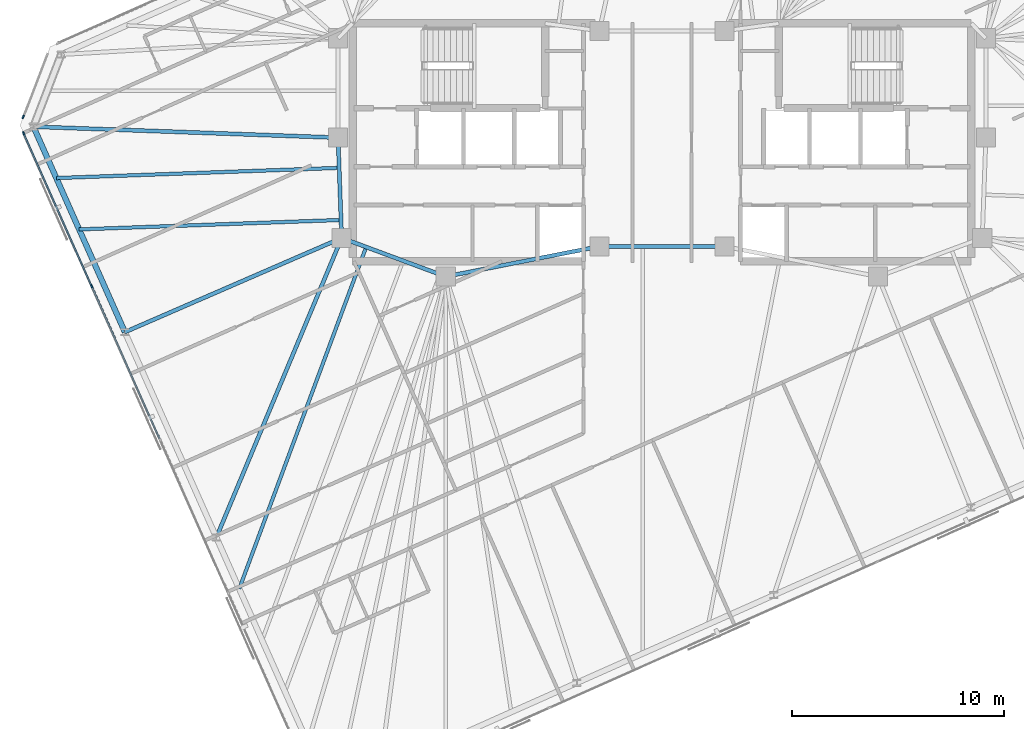
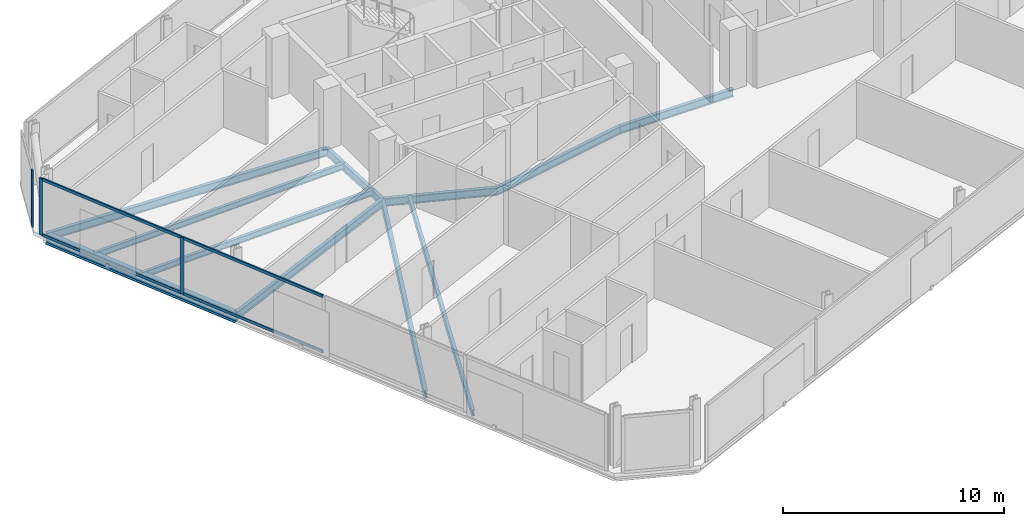
# One storey, part 6 of 19: 11 beams, 7 members, 2 elements without a shape of their own.
"""IFC4 building model written with IfcOpenShell, lengths in metres."""

import ifcopenshell
import ifcopenshell.guid

model = None  # the IFC model being written
_history = None  # IfcOwnerHistory: only IFC2X3 demands one
_inside = {}  # id of a spatial element -> (the spatial element, [elements in it])
_under = {}  # id of a project, library or spatial element -> (it, [spatial elements below it])
_declared = {}  # id of a project -> (the project, [libraries it declares])
_typed = {}  # id of a type object -> (the type object, [elements of that type])
_made_of = {}  # id of a material, layer set ... -> (it, [elements and type objects made of it])


def new_model(schema):
    """Start an empty IFC model of exactly this schema.

    Asked for "IFC4X3", IfcOpenShell would pick the latest addendum, in which some entities
    have other attributes; the version numbers below select the first issue.
    IFC2X3 requires an IfcOwnerHistory on every rooted entity: one is made here for all.
    """
    global model, _history
    if schema == "IFC4X3":
        model = ifcopenshell.file(schema_version=(4, 3, 0, 0))
    else:
        model = ifcopenshell.file(schema=schema)
    _inside.clear()
    _under.clear()
    _declared.clear()
    _typed.clear()
    _made_of.clear()
    _history = None
    if model.schema == "IFC2X3":
        org = make("IfcOrganization", Name="unknown")
        user = make(
            "IfcPersonAndOrganization",
            ThePerson=make("IfcPerson", FamilyName="unknown"),
            TheOrganization=org,
        )
        app = make(
            "IfcApplication",
            ApplicationDeveloper=org,
            Version="unknown",
            ApplicationFullName="unknown",
            ApplicationIdentifier="unknown",
        )
        _history = make(
            "IfcOwnerHistory",
            OwningUser=user,
            OwningApplication=app,
            ChangeAction="ADDED",
            CreationDate=0,
        )
    return model


def make(cls, **values):
    """One entity of the class cls with the attributes given. An attribute that is None is left unset."""
    return model.create_entity(
        cls, **{name: value for name, value in values.items() if value is not None}
    )


def rooted(cls, **values):
    """An entity with a GlobalId (a new one), such as an element, a storey or a relation."""
    return make(cls, GlobalId=ifcopenshell.guid.new(), OwnerHistory=_history, **values)


def si_unit(unit_type, name, prefix=None):
    """IfcSIUnit, for example si_unit("LENGTHUNIT", "METRE", prefix="MILLI")."""
    return make("IfcSIUnit", UnitType=unit_type, Prefix=prefix, Name=name)


def assignment(units):
    """IfcUnitAssignment: the units of a project."""
    return None if units is None else make("IfcUnitAssignment", Units=units)


def point(xyz):
    """IfcCartesianPoint."""
    return None if xyz is None else make("IfcCartesianPoint", Coordinates=xyz)


def direction(xyz):
    """IfcDirection."""
    return None if xyz is None else make("IfcDirection", DirectionRatios=xyz)


def frame(location, z_axis=None, x_axis=None):
    """IfcAxis2Placement3D, a coordinate frame: its origin and axes. An axis left out is left unset."""
    return make(
        "IfcAxis2Placement3D",
        Location=point(location),
        Axis=direction(z_axis),
        RefDirection=direction(x_axis),
    )


def frame_2d(location, x_axis=None):
    """IfcAxis2Placement2D, a coordinate frame in the plane: its origin and x axis."""
    return make(
        "IfcAxis2Placement2D", Location=point(location), RefDirection=direction(x_axis)
    )


def origin():
    """The frame at (0, 0, 0) with its axes left unset."""
    return frame((0.0, 0.0, 0.0))


def origin_2d():
    """The frame at (0, 0) in the plane with its x axis left unset."""
    return frame_2d((0.0, 0.0))


def place(relative_to, where):
    """IfcLocalPlacement: puts the frame where relative to a parent placement (None: the world)."""
    return make(
        "IfcLocalPlacement", PlacementRelTo=relative_to, RelativePlacement=where
    )


def context(
    kind, dimensions, precision=None, world=None, true_north=None, identifier=None
):
    """IfcGeometricRepresentationContext, for example the 3D "Model" context."""
    return make(
        "IfcGeometricRepresentationContext",
        ContextIdentifier=identifier,
        ContextType=kind,
        CoordinateSpaceDimension=dimensions,
        Precision=precision,
        WorldCoordinateSystem=world,
        TrueNorth=true_north,
    )


def subcontext(parent, identifier, kind, view, scale=None):
    """IfcGeometricRepresentationSubContext, for example "Body" below "Model"."""
    return make(
        "IfcGeometricRepresentationSubContext",
        ContextIdentifier=identifier,
        ContextType=kind,
        ParentContext=parent,
        TargetScale=scale,
        TargetView=view,
    )


def project(units=None, contexts=None):
    """IfcProject with its units and contexts."""
    return rooted(
        "IfcProject",
        Name="project",
        RepresentationContexts=contexts,
        UnitsInContext=assignment(units),
    )


def spatial(cls, under=None, at=None, **own):
    """A site, building, storey or space (cls), placed at a placement, below another one or the project."""
    s = rooted(cls, ObjectPlacement=at, **own)
    if under is not None:
        _under.setdefault(under.id(), (under, []))[1].append(s)
    return s


def profile(cls, at=None, kind="AREA", **sizes):
    """A parametric profile (cls). Its sizes go by their IFC names, for example OverallWidth=200.0."""
    return make(cls, ProfileType=kind, Position=at, **sizes)


def rectangle(**sizes):
    """IfcRectangleProfileDef."""
    return profile("IfcRectangleProfileDef", **sizes)


def i_section(**sizes):
    """IfcIShapeProfileDef."""
    return profile("IfcIShapeProfileDef", **sizes)


def extrude(swept, where, along, depth):
    """IfcExtrudedAreaSolid: the profile swept, set in the frame where, extruded along a direction by depth."""
    return make(
        "IfcExtrudedAreaSolid",
        SweptArea=swept,
        Position=where,
        ExtrudedDirection=direction(along),
        Depth=depth,
    )


def shape(context_of_items, identifier, shape_type, items):
    """IfcShapeRepresentation: the items that make up one representation, for example the "Body"."""
    return make(
        "IfcShapeRepresentation",
        ContextOfItems=context_of_items,
        RepresentationIdentifier=identifier,
        RepresentationType=shape_type,
        Items=items,
    )


def material(Name=None, Category=None):
    """IfcMaterial."""
    return make("IfcMaterial", Name=Name, Category=Category)


def material_profile(
    of_material, cross_section, Name=None, Category=None, Priority=None
):
    """IfcMaterialProfile: a cross section and its material."""
    return make(
        "IfcMaterialProfile",
        Name=Name,
        Material=of_material,
        Profile=cross_section,
        Priority=Priority,
        Category=Category,
    )


def profile_set(profiles, Name=None, composite=None):
    """IfcMaterialProfileSet."""
    return make(
        "IfcMaterialProfileSet",
        Name=Name,
        MaterialProfiles=profiles,
        CompositeProfile=composite,
    )


def made_of(thing, what):
    """Note that an element or type object is made of a material, layer set ...; save() writes the relation."""
    if what is not None:
        _made_of.setdefault(what.id(), (what, []))[1].append(thing)
    return thing


def type_object(cls, material=None, **own):
    """A type object (cls), such as IfcWallType, which elements share."""
    return made_of(rooted(cls, **own), material)


def element(
    cls,
    number,
    at=None,
    inside=None,
    cuts=None,
    type_object=None,
    material=None,
    context=None,
    identifier="Body",
    shape_type=None,
    held_by="IfcProductDefinitionShape",
    body=None,
    shapes=None,
    **own,
):
    """One element of the class cls, such as IfcWall. Its Tag is "e" and its number.

    at: its placement. inside: the storey or other place that contains it. cuts: it is an
    opening in that element (IfcRelVoidsElement). A single representation is given by context,
    identifier, shape_type and body (its items); several are given by shapes. held_by: the class
    of the entity that holds the representations. save() writes the other relations.
    """
    e = rooted(cls, Tag="e%d" % number, ObjectPlacement=at, **own)
    if body is not None:
        shapes = [shape(context, identifier, shape_type, body)]
    if shapes is not None:
        e.Representation = make(held_by, Representations=shapes)
    if inside is not None:
        _inside.setdefault(inside.id(), (inside, []))[1].append(e)
    if cuts is not None:
        rooted(
            "IfcRelVoidsElement", RelatingBuildingElement=cuts, RelatedOpeningElement=e
        )
    if type_object is not None:
        _typed.setdefault(type_object.id(), (type_object, []))[1].append(e)
    return made_of(e, material)


def aggregate(whole, parts):
    """IfcRelAggregates: a whole, such as a stair, and the parts it consists of."""
    return rooted("IfcRelAggregates", RelatingObject=whole, RelatedObjects=parts)


def save(model, path):
    """Write the relations noted so far, then the file.

    IfcRelAggregates (storeys below a building ...), IfcRelContainedInSpatialStructure (elements
    in a storey), IfcRelDefinesByType, IfcRelAssociatesMaterial and IfcRelDeclares: one each for
    every whole, place, type object, material and project.
    """
    for whole, parts in _under.values():
        aggregate(whole, parts)
    for where, things in _inside.values():
        rooted(
            "IfcRelContainedInSpatialStructure",
            RelatedElements=things,
            RelatingStructure=where,
        )
    for kind, things in _typed.values():
        rooted("IfcRelDefinesByType", RelatedObjects=things, RelatingType=kind)
    for what, things in _made_of.values():
        rooted("IfcRelAssociatesMaterial", RelatedObjects=things, RelatingMaterial=what)
    for by, libraries in _declared.values():
        rooted("IfcRelDeclares", RelatingContext=by, RelatedDefinitions=libraries)
    model.write(path)


model = new_model("IFC4")

# Units and contexts
model_context = context("Model", 3, precision=1e-05, world=origin(), true_north=direction((0.0, 1.0)))
body_context = subcontext(model_context, "Body", "Model", "MODEL_VIEW")
ifc_project = project(units=[si_unit("LENGTHUNIT", "METRE"), si_unit("AREAUNIT", "SQUARE_METRE"), si_unit("VOLUMEUNIT", "CUBIC_METRE"), si_unit("PLANEANGLEUNIT", "RADIAN"), si_unit("MASSUNIT", "GRAM", prefix="KILO")], contexts=[model_context])

# Site, building, storey
site_placement = place(None, origin())
site = spatial("IfcSite", under=ifc_project, at=site_placement, CompositionType="ELEMENT")
building_placement = place(site_placement, origin())
building = spatial("IfcBuilding", under=site, at=building_placement, Name="Menara Jurai Vektor", CompositionType="ELEMENT")
storey_placement = place(building_placement, frame((0.0, 0.0, 262.199951171875)))
storey = spatial("IfcBuildingStorey", under=building, at=storey_placement, Name="L70", CompositionType="ELEMENT", Elevation=262.199951171875)

# Curtain wall, member
ifc_material_1 = material(Name="Anodised Pale Aluminium & Low-E Double Glazing", Category="aluminium")
curtain_wall_type = type_object("IfcCurtainWallType", Name="CW-BLK5", PredefinedType="NOTDEFINED", material=ifc_material_1)
curtain_wall_1_placement = place(storey_placement, origin())
curtain_wall_1 = element("IfcCurtainWall", 1, at=curtain_wall_1_placement, inside=storey, type_object=curtain_wall_type, Name="Unitised Curtain Wall L70 F06", PredefinedType="NOTDEFINED")
ifc_material_2 = material(Name="Anodised Pale Aluminium Mullion", Category="aluminium")
ifc_material_profile_1 = material_profile(ifc_material_2, rectangle(XDim=0.074951171875, YDim=0.175048828125, at=origin_2d()), Name="ALU MUL 75x175")
ifc_profile_set_1 = profile_set([ifc_material_profile_1], Name="Anodised Pale Aluminium Mullion")
member_type_1 = type_object("IfcMemberType", Name="CW-BLK5-MUL", PredefinedType="MULLION", material=ifc_profile_set_1)
member_1_placement = place(storey_placement, frame((-30.075439453125, 1.197265625, 0.0), z_axis=(0.0, 0.0, 1.0), x_axis=(0.933578193639, -0.358373766287, 0.0)))
member_1 = element("IfcMember", 2, at=member_1_placement, type_object=member_type_1, Name="CW-05 mullion 2", PredefinedType="MULLION", context=body_context, shape_type="SweptSolid", body=[
    extrude(rectangle(XDim=0.074951171875, YDim=0.175048828125, at=origin_2d()), origin(), (0.0, 0.0, 1.0), 3.125),
])
aggregate(curtain_wall_1, [member_1])

# Curtain wall, members
curtain_wall_2_placement = place(storey_placement, origin())
curtain_wall_2 = element("IfcCurtainWall", 3, at=curtain_wall_2_placement, inside=storey, type_object=curtain_wall_type, Name="Unitised Curtain Wall L70 F07", PredefinedType="NOTDEFINED")
member_2_placement = place(storey_placement, frame((-30.055419921875, 0.426025390625, 0.0), z_axis=(0.0, 0.0, 1.0), x_axis=(0.913546127706, 0.406735138086, 0.0)))
member_2 = element("IfcMember", 4, at=member_2_placement, type_object=member_type_1, Name="CW-05 mullion 1", PredefinedType="MULLION", context=body_context, shape_type="SweptSolid", body=[
    extrude(rectangle(XDim=0.074951171875, YDim=0.175048828125, at=origin_2d()), origin(), (0.0, 0.0, 1.0), 3.125),
])
member_3_placement = place(storey_placement, frame((-26.853271484375, -6.765869140625, 0.0), z_axis=(0.0, 0.0, 1.0), x_axis=(0.913546127706, 0.406735138086, 0.0)))
member_3 = element("IfcMember", 5, at=member_3_placement, type_object=member_type_1, Name="CW-05 mullion 2", PredefinedType="MULLION", context=body_context, shape_type="SweptSolid", body=[
    extrude(rectangle(XDim=0.074951171875, YDim=0.175048828125, at=origin_2d()), origin(), (0.0, 0.0, 1.0), 3.125),
])
ifc_material_3 = material(Name="Anodised Pale Aluminium Transom", Category="aluminium")
ifc_material_profile_2 = material_profile(ifc_material_3, rectangle(XDim=0.074951171875, YDim=0.155029296875, at=origin_2d()), Name="ALU TRN 75x155")
ifc_profile_set_2 = profile_set([ifc_material_profile_2], Name="Anodised Pale Aluminium Transom")
member_type_2 = type_object("IfcMemberType", Name="CW-BLK5-TRN", PredefinedType="USERDEFINED", material=ifc_profile_set_2)
member_4_placement = place(storey_placement, frame((-30.0400390625, 0.391845703125, 0.03759765625), z_axis=(0.406713581109, -0.913555725143, 0.0), x_axis=(0.913555725143, 0.406713581109, 0.0)))
member_4 = element("IfcMember", 6, at=member_4_placement, type_object=member_type_2, Name="CW-05 transom 1.1", ObjectType="TRANSOM", PredefinedType="USERDEFINED", context=body_context, shape_type="SweptSolid", body=[
    extrude(rectangle(XDim=0.074951171875, YDim=0.155029296875, at=origin_2d()), origin(), (0.0, 0.0, 1.0), 7.797607421875),
])
member_5_placement = place(storey_placement, frame((-30.0400390625, 0.391845703125, 3.087646484375), z_axis=(0.406713581109, -0.913555725143, 0.0), x_axis=(0.913555725143, 0.406713581109, 0.0)))
member_5 = element("IfcMember", 7, at=member_5_placement, type_object=member_type_2, Name="CW-05 transom 1.2", ObjectType="TRANSOM", PredefinedType="USERDEFINED", context=body_context, shape_type="SweptSolid", body=[
    extrude(rectangle(XDim=0.074951171875, YDim=0.155029296875, at=origin_2d()), origin(), (0.0, 0.0, 1.0), 7.797607421875),
])
member_6_placement = place(storey_placement, frame((-26.838134765625, -6.800048828125, 0.03759765625), z_axis=(0.406731062496, -0.913547942256, 0.0), x_axis=(0.913547942256, 0.406731062496, 0.0)))
member_6 = element("IfcMember", 8, at=member_6_placement, type_object=member_type_2, Name="CW-05 transom 2.1", ObjectType="TRANSOM", PredefinedType="USERDEFINED", context=body_context, shape_type="SweptSolid", body=[
    extrude(rectangle(XDim=0.074951171875, YDim=0.155029296875, at=origin_2d()), origin(), (0.0, 0.0, 1.0), 7.8349609375),
])
member_7_placement = place(storey_placement, frame((-26.838134765625, -6.800048828125, 3.087646484375), z_axis=(0.406731062496, -0.913547942256, 0.0), x_axis=(0.913547942256, 0.406731062496, 0.0)))
member_7 = element("IfcMember", 9, at=member_7_placement, type_object=member_type_2, Name="CW-05 transom 2.2", ObjectType="TRANSOM", PredefinedType="USERDEFINED", context=body_context, shape_type="SweptSolid", body=[
    extrude(rectangle(XDim=0.074951171875, YDim=0.155029296875, at=origin_2d()), origin(), (0.0, 0.0, 1.0), 7.8349609375),
])
aggregate(curtain_wall_2, [member_2, member_3, member_4, member_5, member_6, member_7])

# Beams
ifc_material_4 = material(Name="Steel S355", Category="steel")
ifc_material_profile_3 = material_profile(ifc_material_4, i_section(OverallWidth=0.18505859375, OverallDepth=0.429931640625, WebThickness=0.010986328125, FlangeThickness=0.01806640625, at=origin_2d()), Name="PG 430x185x76")
ifc_profile_set_3 = profile_set([ifc_material_profile_3], Name="Steel S355")
beam_type_1 = type_object("IfcBeamType", Name="STR-BM-430", PredefinedType="BEAM", material=ifc_profile_set_3)
beam_1_placement = place(storey_placement, frame((-15.080078125, -4.5, -0.43994140625), z_axis=(-0.035977314146, 0.999352606874, 0.0), x_axis=(-0.999352606874, -0.035977314146, 0.0)))
element("IfcBeam", 10, at=beam_1_placement, inside=storey, type_object=beam_type_1, Name="Core Ring Header Girder L70-CHW-W2", PredefinedType="BEAM", context=body_context, shape_type="SweptSolid", body=[
    extrude(i_section(OverallWidth=0.18505859375, OverallDepth=0.429931640625, WebThickness=0.010986328125, FlangeThickness=0.01806640625, at=origin_2d()), origin(), (0.0, 0.0, 1.0), 4.72314453125),
])
beam_2_placement = place(storey_placement, frame((-15.080078125, -4.5, -0.43994140625), z_axis=(0.937424400887, -0.348188874925, 0.0), x_axis=(0.348188874925, 0.937424400887, 0.0)))
element("IfcBeam", 11, at=beam_2_placement, inside=storey, type_object=beam_type_1, Name="Core Ring Header Girder L70-CHW-S1", PredefinedType="BEAM", context=body_context, shape_type="SweptSolid", body=[
    extrude(i_section(OverallWidth=0.18505859375, OverallDepth=0.429931640625, WebThickness=0.010986328125, FlangeThickness=0.01806640625, at=origin_2d()), origin(), (0.0, 0.0, 1.0), 5.227294921875),
])
beam_3_placement = place(storey_placement, frame((-10.179931640625, -6.320068359375, -0.43994140625), z_axis=(0.981249044334, 0.192744164614, 0.0), x_axis=(-0.192744164614, 0.981249044334, 0.0)))
element("IfcBeam", 12, at=beam_3_placement, inside=storey, type_object=beam_type_1, Name="Core Ring Header Girder L70-CHW-S2", PredefinedType="BEAM", context=body_context, shape_type="SweptSolid", body=[
    extrude(i_section(OverallWidth=0.18505859375, OverallDepth=0.429931640625, WebThickness=0.010986328125, FlangeThickness=0.01806640625, at=origin_2d()), origin(), (0.0, 0.0, 1.0), 7.3681640625),
])
beam_4_placement = place(storey_placement, frame((-2.949951171875, -4.89990234375, -0.43994140625), z_axis=(1.0, 0.0, 0.0), x_axis=(0.0, 1.0, 0.0)))
element("IfcBeam", 13, at=beam_4_placement, inside=storey, type_object=beam_type_1, Name="Core Ring Header Girder L70-CC-1", PredefinedType="BEAM", context=body_context, shape_type="SweptSolid", body=[
    extrude(i_section(OverallWidth=0.18505859375, OverallDepth=0.429931640625, WebThickness=0.010986328125, FlangeThickness=0.01806640625, at=origin_2d()), origin(), (0.0, 0.0, 1.0), 5.89990234375),
])
beam_5_placement = place(storey_placement, frame((-29.591796875, 0.73681640625, -0.43994140625), z_axis=(0.999351273077, -0.03601434436, 0.0), x_axis=(0.03601434436, 0.999351273077, 0.0)))
element("IfcBeam", 14, at=beam_5_placement, inside=storey, type_object=beam_type_1, Name="Radial Floor Girder L70-W1", PredefinedType="BEAM", context=body_context, shape_type="SweptSolid", body=[
    extrude(i_section(OverallWidth=0.18505859375, OverallDepth=0.429931640625, WebThickness=0.010986328125, FlangeThickness=0.01806640625, at=origin_2d()), origin(), (0.0, 0.0, 1.0), 14.35107421875),
])
beam_6_placement = place(storey_placement, frame((-25.286376953125, -8.933349609375, -0.43994140625), z_axis=(0.917207084259, 0.398410798781, 0.0), x_axis=(-0.398410798781, 0.917207084259, 0.0)))
element("IfcBeam", 15, at=beam_6_placement, inside=storey, type_object=beam_type_1, Name="Radial Floor Girder L70-W2", PredefinedType="BEAM", context=body_context, shape_type="SweptSolid", body=[
    extrude(i_section(OverallWidth=0.18505859375, OverallDepth=0.429931640625, WebThickness=0.010986328125, FlangeThickness=0.01806640625, at=origin_2d()), origin(), (0.0, 0.0, 1.0), 11.127685546875),
])
beam_7_placement = place(storey_placement, frame((-20.98095703125, -18.603271484375, -0.43994140625), z_axis=(0.38598134247, 0.922506587112, 0.0), x_axis=(-0.922506587112, 0.38598134247, 0.0)))
element("IfcBeam", 16, at=beam_7_placement, inside=storey, type_object=beam_type_1, Name="Radial Floor Girder L70-W3", PredefinedType="BEAM", context=body_context, shape_type="SweptSolid", body=[
    extrude(i_section(OverallWidth=0.18505859375, OverallDepth=0.429931640625, WebThickness=0.010986328125, FlangeThickness=0.01806640625, at=origin_2d()), origin(), (0.0, 0.0, 1.0), 15.2880859375),
])
ifc_material_profile_4 = material_profile(ifc_material_4, i_section(OverallWidth=0.1650390625, OverallDepth=0.330078125, WebThickness=0.009033203125, FlangeThickness=0.013916015625, at=origin_2d()), Name="PG 330x165x46")
ifc_profile_set_4 = profile_set([ifc_material_profile_4], Name="Steel S355")
beam_type_2 = type_object("IfcBeamType", Name="STR-JS-330", PredefinedType="JOIST", material=ifc_profile_set_4)
beam_8_placement = place(storey_placement, frame((-28.515380859375, -1.6806640625, -0.389892578125), z_axis=(0.999352378837, 0.035983647851, 0.0), x_axis=(-0.035983647851, 0.999352378837, 0.0)))
element("IfcBeam", 17, at=beam_8_placement, inside=storey, type_object=beam_type_2, Name="Radial Secondary Floor Joist L70-JS26", PredefinedType="JOIST", context=body_context, shape_type="SweptSolid", body=[
    extrude(i_section(OverallWidth=0.1650390625, OverallDepth=0.330078125, WebThickness=0.009033203125, FlangeThickness=0.013916015625, at=origin_2d()), origin(), (0.0, 0.0, 1.0), 13.3251953125),
])
beam_9_placement = place(storey_placement, frame((-27.43896484375, -4.09814453125, -0.389892578125), z_axis=(0.999352552329, 0.03597882924, 0.0), x_axis=(-0.03597882924, 0.999352552329, 0.0)))
element("IfcBeam", 18, at=beam_9_placement, inside=storey, type_object=beam_type_2, Name="Radial Secondary Floor Joist L70-JS27", PredefinedType="JOIST", context=body_context, shape_type="SweptSolid", body=[
    extrude(i_section(OverallWidth=0.1650390625, OverallDepth=0.330078125, WebThickness=0.009033203125, FlangeThickness=0.013916015625, at=origin_2d()), origin(), (0.0, 0.0, 1.0), 12.33642578125),
])
beam_10_placement = place(storey_placement, frame((-19.904541015625, -21.020751953125, -0.389892578125), z_axis=(0.348190100331, 0.937423945732, 0.0), x_axis=(-0.937423945732, 0.348190100331, 0.0)))
element("IfcBeam", 19, at=beam_10_placement, inside=storey, type_object=beam_type_2, Name="Radial Secondary Floor Joist L70-JS28", PredefinedType="JOIST", context=body_context, shape_type="SweptSolid", body=[
    extrude(i_section(OverallWidth=0.1650390625, OverallDepth=0.330078125, WebThickness=0.009033203125, FlangeThickness=0.013916015625, at=origin_2d()), origin(), (0.0, 0.0, 1.0), 17.166748046875),
])
ifc_material_profile_5 = material_profile(ifc_material_4, i_section(OverallWidth=0.260009765625, OverallDepth=0.570068359375, WebThickness=0.013916015625, FlangeThickness=0.02392578125, at=origin_2d()), Name="PG 570x260x145")
ifc_profile_set_5 = profile_set([ifc_material_profile_5], Name="Steel S355")
beam_type_3 = type_object("IfcBeamType", Name="STR-SP-570", PredefinedType="SPANDREL", material=ifc_profile_set_5)
beam_11_placement = place(storey_placement, frame((-29.591796875, 0.73681640625, -0.510009765625), z_axis=(0.40673543049, -0.91354599752, 0.0), x_axis=(0.91354599752, 0.40673543049, 0.0)))
element("IfcBeam", 20, at=beam_11_placement, inside=storey, type_object=beam_type_3, Name="Exoskeleton Spandrel Beam L70-17", PredefinedType="SPANDREL", context=body_context, shape_type="SweptSolid", body=[
    extrude(i_section(OverallWidth=0.260009765625, OverallDepth=0.570068359375, WebThickness=0.013916015625, FlangeThickness=0.02392578125, at=origin_2d()), origin(), (0.0, 0.0, 1.0), 10.585205078125),
])

save(model, "model.ifc")
